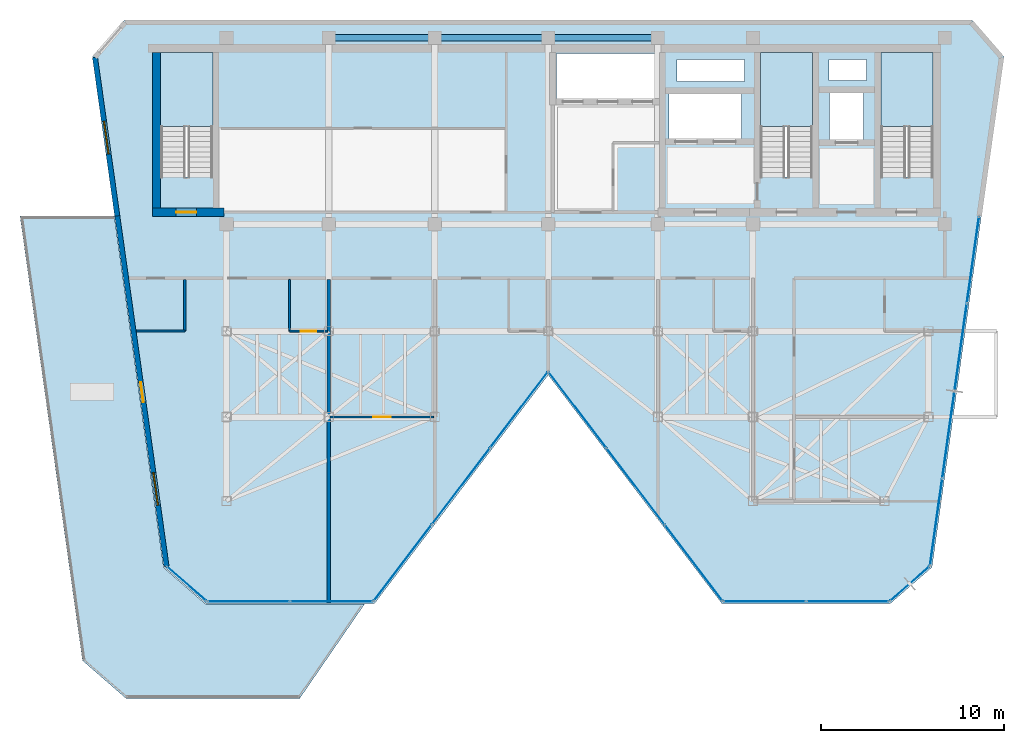
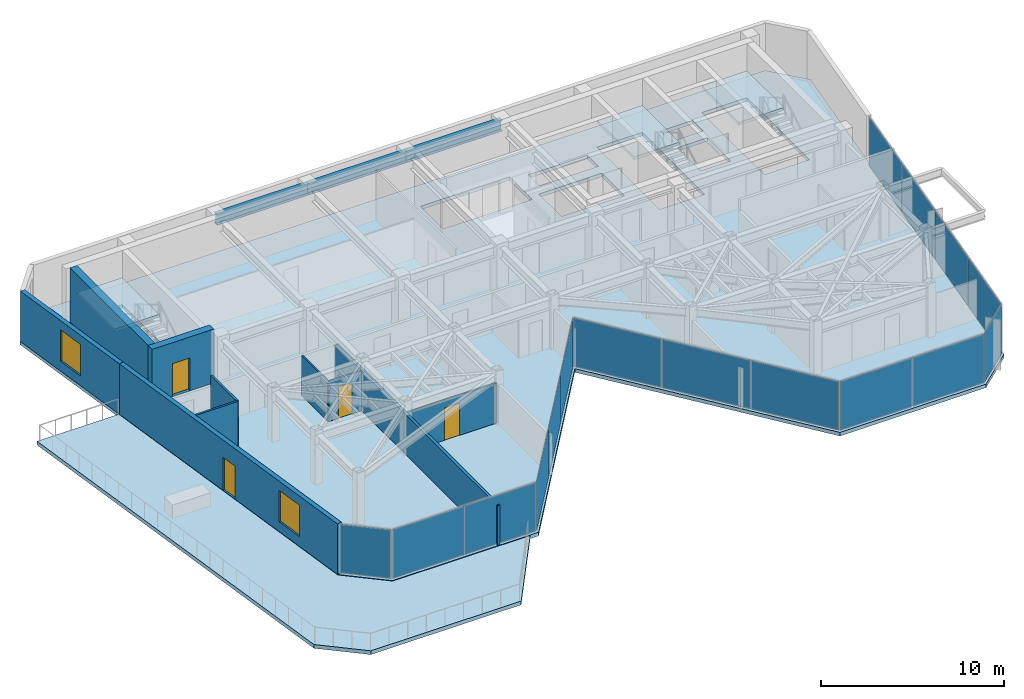
# One storey, part 15 of 21: 16 plates, 10 walls, 5 slabs, 4 doors, 3 beams, 2 windows, 6 openings, 10 elements without a shape of their own.
"""IFC4 building model written with IfcOpenShell, lengths in metres."""

from ifc_helpers import new_model, si_unit, direction, frame, frame_2d, origin, origin_2d, place, context, subcontext, project, spatial, polyline, rectangle, i_section, outline, extrude, material, layer, layer_set, material_profile, profile_set, type_object, element, fill, aggregate, save


model = new_model("IFC4")

# Units and contexts
model_context = context("Model", 3, precision=1e-05, world=origin(), true_north=direction((0.0, 1.0)))
body_context = subcontext(model_context, "Body", "Model", "MODEL_VIEW")
ifc_project = project(units=[si_unit("LENGTHUNIT", "METRE"), si_unit("AREAUNIT", "SQUARE_METRE"), si_unit("VOLUMEUNIT", "CUBIC_METRE"), si_unit("PLANEANGLEUNIT", "RADIAN"), si_unit("MASSUNIT", "GRAM", prefix="KILO")], contexts=[model_context])

# Site, building, storey
site_placement = place(None, origin())
site = spatial("IfcSite", under=ifc_project, at=site_placement, CompositionType="ELEMENT")
building_placement = place(site_placement, origin())
building = spatial("IfcBuilding", under=site, at=building_placement, Name="Kravanh Interchange Tower", CompositionType="ELEMENT")
storey_placement = place(building_placement, frame((0.0, 0.0, 231.0)))
storey = spatial("IfcBuildingStorey", under=building, at=storey_placement, Name="L55", CompositionType="ELEMENT", Elevation=231.0)

# Beams
ifc_material_1 = material(Name="Structural Steel S355", Category="steel")
ifc_material_profile = material_profile(ifc_material_1, i_section(OverallWidth=0.35498046875, OverallDepth=0.696044921875, WebThickness=0.015380859375, FlangeThickness=0.02490234375, FilletRadius=0.02392578125, at=origin_2d()), Name="W27X146")
ifc_profile_set = profile_set([ifc_material_profile], Name="Structural Steel S355")
beam_type = type_object("IfcBeamType", Name="Floor Beam W27X146 Structural Steel S355", PredefinedType="BEAM", material=ifc_profile_set)
beam_1_placement = place(storey_placement, frame((50.800048828125, 47.550048828125, 3.011962890625), z_axis=(-1.0, 0.0, 0.0), x_axis=(0.0, -1.0, 0.0)))
element("IfcBeam", 1, at=beam_1_placement, inside=storey, type_object=beam_type, Name="L55 Primary Floor Girder 49", PredefinedType="BEAM", context=body_context, shape_type="SweptSolid", body=[
    extrude(i_section(OverallWidth=0.35498046875, OverallDepth=0.696044921875, WebThickness=0.015380859375, FlangeThickness=0.02490234375, FilletRadius=0.02392578125, at=origin_2d()), origin(), (0.0, 0.0, 1.0), 6.0),
])
beam_2_placement = place(storey_placement, frame((44.800048828125, 47.550048828125, 3.011962890625), z_axis=(-1.0, 0.0, 0.0), x_axis=(0.0, -1.0, 0.0)))
element("IfcBeam", 2, at=beam_2_placement, inside=storey, type_object=beam_type, Name="L55 Primary Floor Girder 54", PredefinedType="BEAM", context=body_context, shape_type="SweptSolid", body=[
    extrude(i_section(OverallWidth=0.35498046875, OverallDepth=0.696044921875, WebThickness=0.015380859375, FlangeThickness=0.02490234375, FilletRadius=0.02392578125, at=origin_2d()), origin(), (0.0, 0.0, 1.0), 6.199951171875),
])
beam_3_placement = place(storey_placement, frame((38.60009765625, 47.550048828125, 3.011962890625), z_axis=(-1.0, 0.0, 0.0), x_axis=(0.0, -1.0, 0.0)))
element("IfcBeam", 3, at=beam_3_placement, inside=storey, type_object=beam_type, Name="L55 Primary Floor Girder 57", PredefinedType="BEAM", context=body_context, shape_type="SweptSolid", body=[
    extrude(i_section(OverallWidth=0.35498046875, OverallDepth=0.696044921875, WebThickness=0.015380859375, FlangeThickness=0.02490234375, FilletRadius=0.02392578125, at=origin_2d()), origin(), (0.0, 0.0, 1.0), 5.800048828125),
])

# Curtain wall, plates
ifc_material_2 = material(Name="Anodised Bronze Aluminium", Category="aluminium")
ifc_layer_1 = layer(ifc_material_2, 0.179931640625)
ifc_layer_set_1 = layer_set([ifc_layer_1], Name="Unitised Curtain Wall System CW-HTL Luxury Hotel")
curtain_wall_type = type_object("IfcCurtainWallType", Name="Unitised Curtain Wall System CW-HTL Luxury Hotel", PredefinedType="NOTDEFINED", material=ifc_layer_set_1)
curtain_wall_1_placement = place(storey_placement, origin())
curtain_wall_1 = element("IfcCurtainWall", 4, at=curtain_wall_1_placement, inside=storey, type_object=curtain_wall_type, Name="L55 Unitised Curtain Wall CW-L55-01", PredefinedType="NOTDEFINED")
ifc_material_3 = material(Name="Low-E Laminated Architectural Glass", Category="glass")
ifc_layer_2 = layer(ifc_material_3, 0.030029296875)
ifc_layer_set_2 = layer_set([ifc_layer_2], Name="Acoustic Laminated Glazing 30mm")
plate_type = type_object("IfcPlateType", Name="Acoustic Laminated Glazing 30mm", PredefinedType="CURTAIN_PANEL", material=ifc_layer_set_2)
plate_1_placement = place(storey_placement, frame((68.036376953125, 35.390380859375, 0.06005859375), z_axis=(0.0, 0.0, 1.0), x_axis=(-0.13917626751, -0.990267623707, 0.0)))
plate_1 = element("IfcPlate", 5, at=plate_1_placement, type_object=plate_type, Name="CW-HTL panel 1.1", PredefinedType="CURTAIN_PANEL", context=body_context, shape_type="SweptSolid", body=[
    extrude(rectangle(XDim=4.74658203125, YDim=0.030029296875, at=origin_2d()), origin(), (0.0, 0.0, 1.0), 3.239990234375),
])
plate_2_placement = place(storey_placement, frame((67.365478515625, 30.615478515625, 0.06005859375), z_axis=(0.0, 0.0, 1.0), x_axis=(-0.13917626751, -0.990267623707, 0.0)))
plate_2 = element("IfcPlate", 6, at=plate_2_placement, type_object=plate_type, Name="CW-HTL panel 2.1", PredefinedType="CURTAIN_PANEL", context=body_context, shape_type="SweptSolid", body=[
    extrude(rectangle(XDim=4.776611328125, YDim=0.030029296875, at=origin_2d()), origin(), (0.0, 0.0, 1.0), 3.239990234375),
])
plate_3_placement = place(storey_placement, frame((66.692138671875, 25.825927734375, 0.06005859375), z_axis=(0.0, 0.0, 1.0), x_axis=(-0.13917626751, -0.990267623707, 0.0)))
plate_3 = element("IfcPlate", 7, at=plate_3_placement, type_object=plate_type, Name="CW-HTL panel 3.1", PredefinedType="CURTAIN_PANEL", context=body_context, shape_type="SweptSolid", body=[
    extrude(rectangle(XDim=4.776611328125, YDim=0.030029296875, at=origin_2d()), origin(), (0.0, 0.0, 1.0), 3.239990234375),
])
plate_4_placement = place(storey_placement, frame((66.021240234375, 21.05126953125, 0.06005859375), z_axis=(0.0, 0.0, 1.0), x_axis=(-0.13917626751, -0.990267623707, 0.0)))
plate_4 = element("IfcPlate", 8, at=plate_4_placement, type_object=plate_type, Name="CW-HTL panel 4.1", PredefinedType="CURTAIN_PANEL", context=body_context, shape_type="SweptSolid", body=[
    extrude(rectangle(XDim=4.74658203125, YDim=0.030029296875, at=origin_2d()), origin(), (0.0, 0.0, 1.0), 3.239990234375),
])
aggregate(curtain_wall_1, [plate_1, plate_2, plate_3, plate_4])

# Curtain wall, plate
curtain_wall_2_placement = place(storey_placement, origin())
curtain_wall_2 = element("IfcCurtainWall", 9, at=curtain_wall_2_placement, inside=storey, type_object=curtain_wall_type, Name="L55 Unitised Curtain Wall CW-L55-02", PredefinedType="NOTDEFINED")
plate_5_placement = place(storey_placement, frame((64.5771484375, 17.680908203125, 0.06005859375), z_axis=(0.0, 0.0, 1.0), x_axis=(-0.75473192521, -0.656033323139, 0.0)))
plate_5 = element("IfcPlate", 10, at=plate_5_placement, type_object=plate_type, Name="CW-HTL panel 1.1", PredefinedType="CURTAIN_PANEL", context=body_context, shape_type="SweptSolid", body=[
    extrude(rectangle(XDim=2.80908203125, YDim=0.030029296875, at=origin_2d()), origin(), (0.0, 0.0, 1.0), 3.239990234375),
])
aggregate(curtain_wall_2, [plate_5])

# Curtain wall, plates
curtain_wall_3_placement = place(storey_placement, origin())
curtain_wall_3 = element("IfcCurtainWall", 11, at=curtain_wall_3_placement, inside=storey, type_object=curtain_wall_type, Name="L55 Unitised Curtain Wall CW-L55-03", PredefinedType="NOTDEFINED")
plate_6_placement = place(storey_placement, frame((61.1787109375, 16.719970703125, 0.06005859375), z_axis=(0.0, 0.0, 1.0), x_axis=(-1.0, 0.0, 0.0)))
plate_6 = element("IfcPlate", 12, at=plate_6_placement, type_object=plate_type, Name="CW-HTL panel 1.1", PredefinedType="CURTAIN_PANEL", context=body_context, shape_type="SweptSolid", body=[
    extrude(rectangle(XDim=4.466064453125, YDim=0.030029296875, at=origin_2d()), origin(), (0.0, 0.0, 1.0), 3.239990234375),
])
plate_7_placement = place(storey_placement, frame((56.652587890625, 16.719970703125, 0.06005859375), z_axis=(0.0, 0.0, 1.0), x_axis=(-1.0, 0.0, 0.0)))
plate_7 = element("IfcPlate", 13, at=plate_7_placement, type_object=plate_type, Name="CW-HTL panel 2.1", PredefinedType="CURTAIN_PANEL", context=body_context, shape_type="SweptSolid", body=[
    extrude(rectangle(XDim=4.466064453125, YDim=0.030029296875, at=origin_2d()), origin(), (0.0, 0.0, 1.0), 3.239990234375),
])
aggregate(curtain_wall_3, [plate_6, plate_7])

curtain_wall_4_placement = place(storey_placement, origin())
curtain_wall_4 = element("IfcCurtainWall", 14, at=curtain_wall_4_placement, inside=storey, type_object=curtain_wall_type, Name="L55 Unitised Curtain Wall CW-L55-04", PredefinedType="NOTDEFINED")
plate_8_placement = place(storey_placement, frame((52.757080078125, 18.828369140625, 0.06005859375), z_axis=(0.0, 0.0, 1.0), x_axis=(-0.605082946564, 0.79616243806, 0.0)))
plate_8 = element("IfcPlate", 15, at=plate_8_placement, type_object=plate_type, Name="CW-HTL panel 1.1", PredefinedType="CURTAIN_PANEL", context=body_context, shape_type="SweptSolid", body=[
    extrude(rectangle(XDim=5.17626953125, YDim=0.030029296875, at=origin_2d()), origin(), (0.0, 0.0, 1.0), 3.239990234375),
])
plate_9_placement = place(storey_placement, frame((49.579833984375, 23.009033203125, 0.06005859375), z_axis=(0.0, 0.0, 1.0), x_axis=(-0.605082946564, 0.79616243806, 0.0)))
plate_9 = element("IfcPlate", 16, at=plate_9_placement, type_object=plate_type, Name="CW-HTL panel 2.1", PredefinedType="CURTAIN_PANEL", context=body_context, shape_type="SweptSolid", body=[
    extrude(rectangle(XDim=5.206298828125, YDim=0.030029296875, at=origin_2d()), origin(), (0.0, 0.0, 1.0), 3.239990234375),
])
plate_10_placement = place(storey_placement, frame((46.40234375, 27.18994140625, 0.06005859375), z_axis=(0.0, 0.0, 1.0), x_axis=(-0.605082946564, 0.79616243806, 0.0)))
plate_10 = element("IfcPlate", 17, at=plate_10_placement, type_object=plate_type, Name="CW-HTL panel 3.1", PredefinedType="CURTAIN_PANEL", context=body_context, shape_type="SweptSolid", body=[
    extrude(rectangle(XDim=5.17626953125, YDim=0.030029296875, at=origin_2d()), origin(), (0.0, 0.0, 1.0), 3.239990234375),
])
aggregate(curtain_wall_4, [plate_8, plate_9, plate_10])

curtain_wall_5_placement = place(storey_placement, origin())
curtain_wall_5 = element("IfcCurtainWall", 18, at=curtain_wall_5_placement, inside=storey, type_object=curtain_wall_type, Name="L55 Unitised Curtain Wall CW-L55-05", PredefinedType="NOTDEFINED")
plate_11_placement = place(storey_placement, frame((43.19775390625, 27.18994140625, 0.06005859375), z_axis=(0.0, 0.0, 1.0), x_axis=(-0.605082946564, -0.79616243806, 0.0)))
plate_11 = element("IfcPlate", 19, at=plate_11_placement, type_object=plate_type, Name="CW-HTL panel 1.1", PredefinedType="CURTAIN_PANEL", context=body_context, shape_type="SweptSolid", body=[
    extrude(rectangle(XDim=5.17626953125, YDim=0.030029296875, at=origin_2d()), origin(), (0.0, 0.0, 1.0), 3.239990234375),
])
plate_12_placement = place(storey_placement, frame((40.020263671875, 23.009033203125, 0.06005859375), z_axis=(0.0, 0.0, 1.0), x_axis=(-0.605082946564, -0.79616243806, 0.0)))
plate_12 = element("IfcPlate", 20, at=plate_12_placement, type_object=plate_type, Name="CW-HTL panel 2.1", PredefinedType="CURTAIN_PANEL", context=body_context, shape_type="SweptSolid", body=[
    extrude(rectangle(XDim=5.206298828125, YDim=0.030029296875, at=origin_2d()), origin(), (0.0, 0.0, 1.0), 3.239990234375),
])
plate_13_placement = place(storey_placement, frame((36.8427734375, 18.828369140625, 0.06005859375), z_axis=(0.0, 0.0, 1.0), x_axis=(-0.605082946564, -0.79616243806, 0.0)))
plate_13 = element("IfcPlate", 21, at=plate_13_placement, type_object=plate_type, Name="CW-HTL panel 3.1", PredefinedType="CURTAIN_PANEL", context=body_context, shape_type="SweptSolid", body=[
    extrude(rectangle(XDim=5.17626953125, YDim=0.030029296875, at=origin_2d()), origin(), (0.0, 0.0, 1.0), 3.239990234375),
])
aggregate(curtain_wall_5, [plate_11, plate_12, plate_13])

curtain_wall_6_placement = place(storey_placement, origin())
curtain_wall_6 = element("IfcCurtainWall", 22, at=curtain_wall_6_placement, inside=storey, type_object=curtain_wall_type, Name="L55 Unitised Curtain Wall CW-L55-06", PredefinedType="NOTDEFINED")
plate_14_placement = place(storey_placement, frame((32.947509765625, 16.719970703125, 0.06005859375), z_axis=(0.0, 0.0, 1.0), x_axis=(-1.0, 0.0, 0.0)))
plate_14 = element("IfcPlate", 23, at=plate_14_placement, type_object=plate_type, Name="CW-HTL panel 1.1", PredefinedType="CURTAIN_PANEL", context=body_context, shape_type="SweptSolid", body=[
    extrude(rectangle(XDim=4.466064453125, YDim=0.030029296875, at=origin_2d()), origin(), (0.0, 0.0, 1.0), 3.239990234375),
])
plate_15_placement = place(storey_placement, frame((28.42138671875, 16.719970703125, 0.06005859375), z_axis=(0.0, 0.0, 1.0), x_axis=(-1.0, 0.0, 0.0)))
plate_15 = element("IfcPlate", 24, at=plate_15_placement, type_object=plate_type, Name="CW-HTL panel 2.1", PredefinedType="CURTAIN_PANEL", context=body_context, shape_type="SweptSolid", body=[
    extrude(rectangle(XDim=4.466064453125, YDim=0.030029296875, at=origin_2d()), origin(), (0.0, 0.0, 1.0), 3.239990234375),
])
aggregate(curtain_wall_6, [plate_14, plate_15])

# Curtain wall, plate
curtain_wall_7_placement = place(storey_placement, origin())
curtain_wall_7 = element("IfcCurtainWall", 25, at=curtain_wall_7_placement, inside=storey, type_object=curtain_wall_type, Name="L55 Unitised Curtain Wall CW-L55-07", PredefinedType="NOTDEFINED")
plate_16_placement = place(storey_placement, frame((25.02294921875, 17.680908203125, 0.06005859375), z_axis=(0.0, 0.0, 1.0), x_axis=(-0.75473192521, 0.656033323139, 0.0)))
plate_16 = element("IfcPlate", 26, at=plate_16_placement, type_object=plate_type, Name="CW-HTL panel 1.1", PredefinedType="CURTAIN_PANEL", context=body_context, shape_type="SweptSolid", body=[
    extrude(rectangle(XDim=2.80908203125, YDim=0.030029296875, at=origin_2d()), origin(), (0.0, 0.0, 1.0), 3.239990234375),
])
aggregate(curtain_wall_7, [plate_16])

# Slab
ifc_material_4 = material(Name="Concrete C50/60", Category="concrete")
ifc_layer_3 = layer(ifc_material_4, 0.239990234375)
ifc_layer_set_3 = layer_set([ifc_layer_3], Name="Composite Floor Slab Concrete C50/60 240mm")
slab_type_1 = type_object("IfcSlabType", Name="Composite Floor Slab Concrete C50/60 240mm", PredefinedType="FLOOR", material=ifc_layer_set_3)
slab_1_placement = place(storey_placement, frame((0.0, 0.0, -0.239990234375)))
element("IfcSlab", 27, at=slab_1_placement, inside=storey, type_object=slab_type_1, Name="L55 Structural Floor Slab", PredefinedType="FLOOR", context=body_context, shape_type="SweptSolid", body=[
    extrude(outline(polyline([(23.804931640625, 18.58056640625), (26.083251953125, 16.60009765625), (35.300048828125, 16.60009765625), (44.800048828125, 29.10009765625), (54.300048828125, 16.60009765625), (63.5166015625, 16.60009765625), (65.795166015625, 18.58056640625), (69.7216796875, 46.51953125), (68.0, 48.5), (21.60009765625, 48.5), (19.87841796875, 46.51953125), (23.804931640625, 18.58056640625)]), holes=[polyline([(65.85009765625, 39.925048828125), (65.85009765625, 46.75), (63.0, 46.75), (63.0, 39.925048828125), (65.85009765625, 39.925048828125)]), polyline([(59.25, 39.925048828125), (59.25, 46.75), (56.39990234375, 46.75), (56.39990234375, 39.925048828125), (59.25, 39.925048828125)]), polyline([(26.449951171875, 39.925048828125), (26.449951171875, 46.75), (23.60009765625, 46.75), (23.60009765625, 39.925048828125), (26.449951171875, 39.925048828125)]), polyline([(45.239990234375, 44.219970703125), (50.840087890625, 44.219970703125), (50.840087890625, 46.699951171875), (45.239990234375, 46.699951171875), (45.239990234375, 44.219970703125)]), polyline([(51.419921875, 42.02001953125), (55.3798828125, 42.02001953125), (55.3798828125, 44.47998046875), (51.419921875, 44.47998046875), (51.419921875, 42.02001953125)]), polyline([(60.179931640625, 41.97998046875), (62.06005859375, 41.97998046875), (62.06005859375, 44.52001953125), (60.179931640625, 44.52001953125), (60.179931640625, 41.97998046875)]), polyline([(60.14990234375, 45.199951171875), (62.199951171875, 45.199951171875), (62.199951171875, 46.35009765625), (60.14990234375, 46.35009765625), (60.14990234375, 45.199951171875)]), polyline([(51.85009765625, 45.14990234375), (55.550048828125, 45.14990234375), (55.550048828125, 46.35009765625), (51.85009765625, 46.35009765625), (51.85009765625, 45.14990234375)])]), origin(), (0.0, 0.0, 1.0), 0.239990234375),
])

# Stair, slab
ifc_material_5 = material(Name="Concrete C50/60", Category="concrete")
stair_type = type_object("IfcStairType", Name="Core Fire Exit Dogleg Stair Concrete C50/60", PredefinedType="HALF_TURN_STAIR", material=ifc_material_5)
stair_1_placement = place(storey_placement, origin())
stair_1 = element("IfcStair", 28, at=stair_1_placement, inside=storey, type_object=stair_type, Name="L55 Exit Stair ST1", PredefinedType="HALF_TURN_STAIR")
ifc_material_6 = material(Name="Concrete C50/60", Category="concrete")
ifc_layer_4 = layer(ifc_material_6, 0.199951171875)
ifc_layer_set_4 = layer_set([ifc_layer_4], Name="Concrete C50/60 Stair Half-Landing Slab 200mm")
slab_type_2 = type_object("IfcSlabType", Name="Concrete C50/60 Stair Half-Landing Slab 200mm", PredefinedType="LANDING", material=ifc_layer_set_4)
slab_2_placement = place(storey_placement, frame((0.0, 0.0, 1.60009765625)))
slab_2 = element("IfcSlab", 29, at=slab_2_placement, type_object=slab_type_2, Name="ST1 landing 1", PredefinedType="LANDING", context=body_context, shape_type="SweptSolid", body=[
    extrude(outline(polyline([(65.85009765625, 42.699951171875), (65.85009765625, 46.75), (63.0, 46.75), (63.0, 42.699951171875), (65.85009765625, 42.699951171875)])), origin(), (0.0, 0.0, 1.0), 0.199951171875),
])
aggregate(stair_1, [slab_2])

stair_2_placement = place(storey_placement, origin())
stair_2 = element("IfcStair", 30, at=stair_2_placement, inside=storey, type_object=stair_type, Name="L55 Exit Stair ST2", PredefinedType="HALF_TURN_STAIR")
slab_3_placement = place(storey_placement, frame((0.0, 0.0, 1.60009765625)))
slab_3 = element("IfcSlab", 31, at=slab_3_placement, type_object=slab_type_2, Name="ST2 landing 1", PredefinedType="LANDING", context=body_context, shape_type="SweptSolid", body=[
    extrude(outline(polyline([(59.25, 42.699951171875), (59.25, 46.75), (56.39990234375, 46.75), (56.39990234375, 42.699951171875), (59.25, 42.699951171875)])), origin(), (0.0, 0.0, 1.0), 0.199951171875),
])
aggregate(stair_2, [slab_3])

stair_3_placement = place(storey_placement, origin())
stair_3 = element("IfcStair", 32, at=stair_3_placement, inside=storey, type_object=stair_type, Name="L55 Exit Stair ST3", PredefinedType="HALF_TURN_STAIR")
slab_4_placement = place(storey_placement, frame((0.0, 0.0, 1.60009765625)))
slab_4 = element("IfcSlab", 33, at=slab_4_placement, type_object=slab_type_2, Name="ST3 landing 1", PredefinedType="LANDING", context=body_context, shape_type="SweptSolid", body=[
    extrude(outline(polyline([(26.449951171875, 42.699951171875), (26.449951171875, 46.75), (23.60009765625, 46.75), (23.60009765625, 42.699951171875), (26.449951171875, 42.699951171875)])), origin(), (0.0, 0.0, 1.0), 0.199951171875),
])
aggregate(stair_3, [slab_4])

# Slab
ifc_material_7 = material(Name="Concrete C50/60", Category="concrete")
ifc_layer_5 = layer(ifc_material_7, 0.25)
ifc_layer_set_5 = layer_set([ifc_layer_5], Name="Insulated Terrace Roof Slab Concrete C50/60 250mm")
slab_type_3 = type_object("IfcSlabType", Name="Insulated Terrace Roof Slab Concrete C50/60 250mm", PredefinedType="ROOF", material=ifc_layer_set_5)
slab_5_placement = place(storey_placement, frame((0.0, 0.0, -0.25)))
element("IfcSlab", 34, at=slab_5_placement, inside=storey, type_object=slab_type_3, Name="L55 Stepped Terrace Roof 1", PredefinedType="ROOF", context=body_context, shape_type="SweptSolid", body=[
    extrude(outline(polyline([(21.714111328125, 11.39990234375), (19.32177734375, 13.4794921875), (15.90380859375, 37.800048828125), (21.0634765625, 37.800048828125), (23.767333984375, 18.56005859375), (26.068359375, 16.56005859375), (34.74755859375, 16.56005859375), (31.199951171875, 11.39990234375), (21.714111328125, 11.39990234375)])), origin(), (0.0, 0.0, 1.0), 0.25),
])

# Walls
ifc_material_8 = material(Name="Double Acoustic Gypsum Board and Mineral Wool")
ifc_layer_6 = layer(ifc_material_8, 0.1201171875)
ifc_layer_set_6 = layer_set([ifc_layer_6], Name="Acoustic Office Drywall Partition 120mm")
wall_type_1 = type_object("IfcWallType", Name="Acoustic Office Drywall Partition 120mm", PredefinedType="PARTITIONING", material=ifc_layer_set_6)
wall_1_placement = place(storey_placement, frame((24.919921875, 31.5, 0.0), z_axis=(0.0, 0.0, 1.0), x_axis=(0.0, 1.0, 0.0)))
element("IfcWall", 35, at=wall_1_placement, inside=storey, type_object=wall_type_1, Name="L55 Interior Partition 15", PredefinedType="PARTITIONING", context=body_context, shape_type="SweptSolid", body=[
    extrude(rectangle(XDim=2.83203125, YDim=0.1201171875, at=frame_2d((1.416015625, 0.0))), origin(), (0.0, 0.0, 1.0), 3.360107421875),
])
wall_2_placement = place(storey_placement, frame((22.27685546875, 31.5, 0.0), z_axis=(0.0, 0.0, 1.0), x_axis=(1.0, 0.0, 0.0)))
element("IfcWall", 36, at=wall_2_placement, inside=storey, type_object=wall_type_1, Name="L55 Interior Partition 16", PredefinedType="PARTITIONING", context=body_context, shape_type="SweptSolid", body=[
    extrude(rectangle(XDim=2.64306640625, YDim=0.1201171875, at=frame_2d((1.321533203125, 0.0))), origin(), (0.0, 0.0, 1.0), 3.360107421875),
])

# Wall, opening, door
ifc_material_9 = material(Name="Concrete C60/75", Category="concrete")
ifc_layer_7 = layer(ifc_material_9, 0.449951171875)
ifc_layer_set_7 = layer_set([ifc_layer_7], Name="Core Shear Wall Concrete C60/75 450mm")
wall_type_2 = type_object("IfcWallType", Name="Core Shear Wall Concrete C60/75 450mm", PredefinedType="SHEAR", material=ifc_layer_set_7)
wall_3_placement = place(storey_placement, frame((23.14990234375, 38.0, 0.0), z_axis=(0.0, 0.0, 1.0), x_axis=(1.0, 0.0, 0.0)))
wall_3 = element("IfcWall", 37, at=wall_3_placement, inside=storey, type_object=wall_type_2, Name="L55 Stair ST3 South Shear Wall", PredefinedType="SHEAR", context=body_context, shape_type="SweptSolid", body=[
    extrude(rectangle(XDim=3.900146484375, YDim=0.449951171875, at=frame_2d((1.9501953125, 0.0))), origin(), (0.0, 0.0, 1.0), 3.60009765625),
])
opening_1_placement = place(wall_3_placement, frame((1.300048828125, 0.0, 0.0)))
opening_1 = element("IfcOpeningElement", 38, at=opening_1_placement, cuts=wall_3, Name="Opening D-STAIR-110", PredefinedType="OPENING", context=body_context, shape_type="SweptSolid", body=[
    extrude(rectangle(XDim=1.10009765625, YDim=2.199951171875, at=frame_2d((0.550048828125, 1.10009765625))), frame((0.0, 0.23486328125, 0.0), z_axis=(0.0, -1.0, 0.0), x_axis=(1.0, 0.0, 0.0)), (0.0, 0.0, 1.0), 0.469970703125),
])
ifc_material_10 = material(Name="Structural Steel S355", Category="steel")
door_type_1 = type_object("IfcDoorType", Name="Fire-Rated Exit Stair Door 1100x2200", OperationType="NOTDEFINED", PredefinedType="DOOR", material=ifc_material_10)
door_1_placement = place(opening_1_placement, origin())
door_1 = element("IfcDoor", 39, at=door_1_placement, inside=storey, type_object=door_type_1, Name="L55 Exit Stair ST3 Door", OperationType="SINGLE_SWING_RIGHT", OverallHeight=2.199951171875, OverallWidth=1.10009765625, PredefinedType="DOOR", context=body_context, shape_type="SweptSolid", body=[
    extrude(rectangle(XDim=1.10009765625, YDim=2.199951171875, at=frame_2d((0.550048828125, 1.10009765625))), frame((0.0, 0.02490234375, 0.0), z_axis=(0.0, -1.0, 0.0), x_axis=(1.0, 0.0, 0.0)), (0.0, 0.0, 1.0), 0.050048828125),
])
fill(opening_1, door_1)

# Walls
wall_4_placement = place(storey_placement, frame((23.375, 38.22509765625, 0.0), z_axis=(0.0, 0.0, 1.0), x_axis=(0.0, 1.0, 0.0)))
element("IfcWall", 40, at=wall_4_placement, inside=storey, type_object=wall_type_2, Name="L55 Stair ST3 West Shear Wall", PredefinedType="SHEAR", context=body_context, shape_type="SweptSolid", body=[
    extrude(rectangle(XDim=8.52490234375, YDim=0.449951171875, at=frame_2d((4.262451171875, 0.0))), origin(), (0.0, 0.0, 1.0), 3.60009765625),
])
ifc_material_11 = material(Name="Moisture-Resistant Gypsum Board and Mineral Wool")
ifc_layer_8 = layer(ifc_material_11, 0.10009765625)
ifc_layer_set_8 = layer_set([ifc_layer_8], Name="En-Suite Moisture-Resistant Partition 100mm")
wall_type_3 = type_object("IfcWallType", Name="En-Suite Moisture-Resistant Partition 100mm", PredefinedType="PARTITIONING", material=ifc_layer_set_8)
wall_5_placement = place(storey_placement, frame((30.64990234375, 31.5, 0.0), z_axis=(0.0, 0.0, 1.0), x_axis=(0.0, 1.0, 0.0)))
element("IfcWall", 41, at=wall_5_placement, inside=storey, type_object=wall_type_3, Name="L55 Interior Partition 21", PredefinedType="PARTITIONING", context=body_context, shape_type="SweptSolid", body=[
    extrude(rectangle(XDim=2.83203125, YDim=0.10009765625, at=frame_2d((1.416015625, 0.0))), origin(), (0.0, 0.0, 1.0), 2.6640625),
])

# Wall, opening, door
wall_6_placement = place(storey_placement, frame((30.64990234375, 31.5, 0.0), z_axis=(0.0, 0.0, 1.0), x_axis=(1.0, 0.0, 0.0)))
wall_6 = element("IfcWall", 42, at=wall_6_placement, inside=storey, type_object=wall_type_3, Name="L55 Interior Partition 22", PredefinedType="PARTITIONING", context=body_context, shape_type="SweptSolid", body=[
    extrude(rectangle(XDim=2.08203125, YDim=0.10009765625, at=frame_2d((1.041015625, 0.0))), origin(), (0.0, 0.0, 1.0), 2.6640625),
])
opening_2_placement = place(wall_6_placement, frame((0.607421875, 0.0, 0.0)))
opening_2 = element("IfcOpeningElement", 43, at=opening_2_placement, cuts=wall_6, Name="Opening D-85", PredefinedType="OPENING", context=body_context, shape_type="SweptSolid", body=[
    extrude(rectangle(XDim=0.85009765625, YDim=2.10009765625, at=frame_2d((0.425048828125, 1.050048828125))), frame((0.0, 0.06005859375, 0.0), z_axis=(0.0, -1.0, 0.0), x_axis=(1.0, 0.0, 0.0)), (0.0, 0.0, 1.0), 0.1201171875),
])
ifc_material_12 = material(Name="Engineered Teak Veneer Timber", Category="wood")
door_type_2 = type_object("IfcDoorType", Name="En-Suite Timber Door 850x2100", OperationType="NOTDEFINED", PredefinedType="DOOR", material=ifc_material_12)
door_2_placement = place(opening_2_placement, origin())
door_2 = element("IfcDoor", 44, at=door_2_placement, inside=storey, type_object=door_type_2, Name="L55 En-suite Bathroom Door", OperationType="SINGLE_SWING_RIGHT", OverallHeight=2.10009765625, OverallWidth=0.85009765625, PredefinedType="DOOR", context=body_context, shape_type="SweptSolid", body=[
    extrude(rectangle(XDim=0.85009765625, YDim=2.10009765625, at=frame_2d((0.425048828125, 1.050048828125))), frame((0.0, 0.02490234375, 0.0), z_axis=(0.0, -1.0, 0.0), x_axis=(1.0, 0.0, 0.0)), (0.0, 0.0, 1.0), 0.050048828125),
])
fill(opening_2, door_2)

wall_7_placement = place(storey_placement, frame((32.867919921875, 26.800048828125, 0.0), z_axis=(0.0, 0.0, 1.0), x_axis=(1.0, 0.0, 0.0)))
wall_7 = element("IfcWall", 45, at=wall_7_placement, inside=storey, type_object=wall_type_3, Name="L55 Interior Partition 24", PredefinedType="PARTITIONING", context=body_context, shape_type="SweptSolid", body=[
    extrude(rectangle(XDim=5.6640625, YDim=0.10009765625, at=frame_2d((2.83203125, 0.0))), origin(), (0.0, 0.0, 1.0), 2.6640625),
])
opening_3_placement = place(wall_7_placement, frame((2.35693359375, 0.0, 0.0)))
opening_3 = element("IfcOpeningElement", 46, at=opening_3_placement, cuts=wall_7, Name="Opening D-95", PredefinedType="OPENING", context=body_context, shape_type="SweptSolid", body=[
    extrude(rectangle(XDim=0.949951171875, YDim=2.14990234375, at=frame_2d((0.47509765625, 1.074951171875))), frame((0.0, 0.06005859375, 0.0), z_axis=(0.0, -1.0, 0.0), x_axis=(1.0, 0.0, 0.0)), (0.0, 0.0, 1.0), 0.1201171875),
])
ifc_material_13 = material(Name="Laminate Solid-Core Timber", Category="wood")
door_type_3 = type_object("IfcDoorType", Name="Accessible Restroom Door 950x2150", OperationType="NOTDEFINED", PredefinedType="DOOR", material=ifc_material_13)
door_3_placement = place(opening_3_placement, origin())
door_3 = element("IfcDoor", 47, at=door_3_placement, inside=storey, type_object=door_type_3, Name="L55 Sunroom Alcove Inner Door", OperationType="SINGLE_SWING_LEFT", OverallHeight=2.14990234375, OverallWidth=0.949951171875, PredefinedType="DOOR", context=body_context, shape_type="SweptSolid", body=[
    extrude(rectangle(XDim=0.949951171875, YDim=2.14990234375, at=frame_2d((0.47509765625, 1.074951171875))), frame((0.0, 0.02490234375, 0.0), z_axis=(0.0, -1.0, 0.0), x_axis=(1.0, 0.0, 0.0)), (0.0, 0.0, 1.0), 0.050048828125),
])
fill(opening_3, door_3)

# Wall, openings, door, window
ifc_material_14 = material(Name="Insulated Precast Concrete C40/50 with Bronze Cladding", Category="concrete")
ifc_layer_9 = layer(ifc_material_14, 0.280029296875)
ifc_layer_set_9 = layer_set([ifc_layer_9], Name="Exterior Insulated Concrete C40/50 Bronze Spandrel Wall 280mm")
wall_type_4 = type_object("IfcWallType", Name="Exterior Insulated Concrete C40/50 Bronze Spandrel Wall 280mm", PredefinedType="STANDARD", material=ifc_layer_set_9)
wall_8_placement = place(storey_placement, frame((23.91748046875, 18.6416015625, 0.0), z_axis=(0.0, 0.0, 1.0), x_axis=(-0.139177296983, 0.99026747902, 0.0)))
wall_8 = element("IfcWall", 48, at=wall_8_placement, inside=storey, type_object=wall_type_4, Name="L55 Exterior Wall 1", PredefinedType="STANDARD", context=body_context, shape_type="SweptSolid", body=[
    extrude(rectangle(XDim=19.3466796875, YDim=0.280029296875, at=frame_2d((9.67333984375, 0.0))), origin(), (0.0, 0.0, 1.0), 3.360107421875),
])
opening_4_placement = place(wall_8_placement, frame((9.06298828125, 0.0, 0.0)))
opening_4 = element("IfcOpeningElement", 49, at=opening_4_placement, cuts=wall_8, Name="Opening ED-TERR110", PredefinedType="OPENING", context=body_context, shape_type="SweptSolid", body=[
    extrude(rectangle(XDim=1.10009765625, YDim=2.199951171875, at=frame_2d((0.550048828125, 1.10009765625))), frame((0.0, 0.14990234375, 0.0), z_axis=(0.0, -1.0, 0.0), x_axis=(1.0, 0.0, 0.0)), (0.0, 0.0, 1.0), 0.300048828125),
])
opening_5_placement = place(wall_8_placement, frame((3.37109375, 0.0, 0.64990234375)))
opening_5 = element("IfcOpeningElement", 50, at=opening_5_placement, cuts=wall_8, Name="Opening WN-180X210", PredefinedType="OPENING", context=body_context, shape_type="SweptSolid", body=[
    extrude(rectangle(XDim=1.800048828125, YDim=2.10009765625, at=frame_2d((0.89990234375, 1.050048828125))), frame((0.0, 0.14990234375, 0.0), z_axis=(0.0, -1.0, 0.0), x_axis=(1.0, 0.0, 0.0)), (0.0, 0.0, 1.0), 0.300048828125),
])
ifc_material_15 = material(Name="Thermally Broken Bronze Aluminium and Laminated Glass", Category="aluminium")
door_type_4 = type_object("IfcDoorType", Name="Terrace Access Glazed Door 1100x2200", OperationType="NOTDEFINED", PredefinedType="DOOR", material=ifc_material_15)
door_4_placement = place(opening_4_placement, origin())
door_4 = element("IfcDoor", 51, at=door_4_placement, inside=storey, type_object=door_type_4, Name="L55 Stepped Sky Terrace Access Door", OperationType="SINGLE_SWING_RIGHT", OverallHeight=2.199951171875, OverallWidth=1.10009765625, PredefinedType="DOOR", context=body_context, shape_type="SweptSolid", body=[
    extrude(rectangle(XDim=1.10009765625, YDim=2.199951171875, at=frame_2d((0.550048828125, 1.10009765625))), frame((0.0, 0.02490234375, 0.0), z_axis=(0.0, -1.0, 0.0), x_axis=(1.0, 0.0, 0.0)), (0.0, 0.0, 1.0), 0.050048828125),
])
fill(opening_4, door_4)
ifc_material_16 = material(Name="Thermally Broken Bronze Aluminium and Low-E Glass", Category="aluminium")
window_type = type_object("IfcWindowType", Name="Tower Pier Window 1800x2100", PartitioningType="SINGLE_PANEL", PredefinedType="WINDOW", material=ifc_material_16)
window_1_placement = place(opening_5_placement, origin())
window_1 = element("IfcWindow", 52, at=window_1_placement, inside=storey, type_object=window_type, Name="L55 Terrace Facade Window", OverallHeight=2.10009765625, OverallWidth=1.800048828125, PartitioningType="SINGLE_PANEL", PredefinedType="WINDOW", context=body_context, shape_type="SweptSolid", body=[
    extrude(rectangle(XDim=1.800048828125, YDim=2.10009765625, at=frame_2d((0.89990234375, 1.050048828125))), frame((0.0, 0.030029296875, 0.0), z_axis=(0.0, -1.0, 0.0), x_axis=(1.0, 0.0, 0.0)), (0.0, 0.0, 1.0), 0.06005859375),
])
fill(opening_5, window_1)

# Wall, opening, window
wall_9_placement = place(storey_placement, frame((21.224853515625, 37.800048828125, 0.0), z_axis=(0.0, 0.0, 1.0), x_axis=(-0.139179310088, 0.990267196086, 0.0)))
wall_9 = element("IfcWall", 53, at=wall_9_placement, inside=storey, type_object=wall_type_4, Name="L55 Exterior Wall 2", PredefinedType="STANDARD", context=body_context, shape_type="SweptSolid", body=[
    extrude(rectangle(XDim=8.767333984375, YDim=0.280029296875, at=frame_2d((4.3837890625, 0.0))), origin(), (0.0, 0.0, 1.0), 3.360107421875),
])
opening_6_placement = place(wall_9_placement, frame((3.422607421875, 0.0, 0.64990234375)))
opening_6 = element("IfcOpeningElement", 54, at=opening_6_placement, cuts=wall_9, Name="Opening WN-180X210", PredefinedType="OPENING", context=body_context, shape_type="SweptSolid", body=[
    extrude(rectangle(XDim=1.800048828125, YDim=2.10009765625, at=frame_2d((0.89990234375, 1.050048828125))), frame((0.0, 0.14990234375, 0.0), z_axis=(0.0, -1.0, 0.0), x_axis=(1.0, 0.0, 0.0)), (0.0, 0.0, 1.0), 0.300048828125),
])
window_2_placement = place(opening_6_placement, origin())
window_2 = element("IfcWindow", 55, at=window_2_placement, inside=storey, type_object=window_type, Name="L55 Corner Window 2", OverallHeight=2.10009765625, OverallWidth=1.800048828125, PartitioningType="SINGLE_PANEL", PredefinedType="WINDOW", context=body_context, shape_type="SweptSolid", body=[
    extrude(rectangle(XDim=1.800048828125, YDim=2.10009765625, at=frame_2d((0.89990234375, 1.050048828125))), frame((0.0, 0.030029296875, 0.0), z_axis=(0.0, -1.0, 0.0), x_axis=(1.0, 0.0, 0.0)), (0.0, 0.0, 1.0), 0.06005859375),
])
fill(opening_6, window_2)

# Wall
ifc_material_17 = material(Name="Autoclaved Aerated Concrete C30/37 Blockwork", Category="masonry")
ifc_layer_10 = layer(ifc_material_17, 0.179931640625)
ifc_layer_set_10 = layer_set([ifc_layer_10], Name="Fire-Rated Lobby and Corridor Wall Concrete C30/37 180mm")
wall_type_5 = type_object("IfcWallType", Name="Fire-Rated Lobby and Corridor Wall Concrete C30/37 180mm", PredefinedType="STANDARD", material=ifc_layer_set_10)
wall_10_placement = place(storey_placement, frame((32.800048828125, 16.614990234375, 0.0), z_axis=(0.0, 0.0, 1.0), x_axis=(0.0, 1.0, 0.0)))
element("IfcWall", 56, at=wall_10_placement, inside=storey, type_object=wall_type_5, Name="L55 Interior Partition 23", PredefinedType="STANDARD", context=body_context, shape_type="SweptSolid", body=[
    extrude(rectangle(XDim=17.717041015625, YDim=0.179931640625, at=frame_2d((8.8583984375, 0.0))), origin(), (0.0, 0.0, 1.0), 2.6640625),
])

save(model, "model.ifc")
